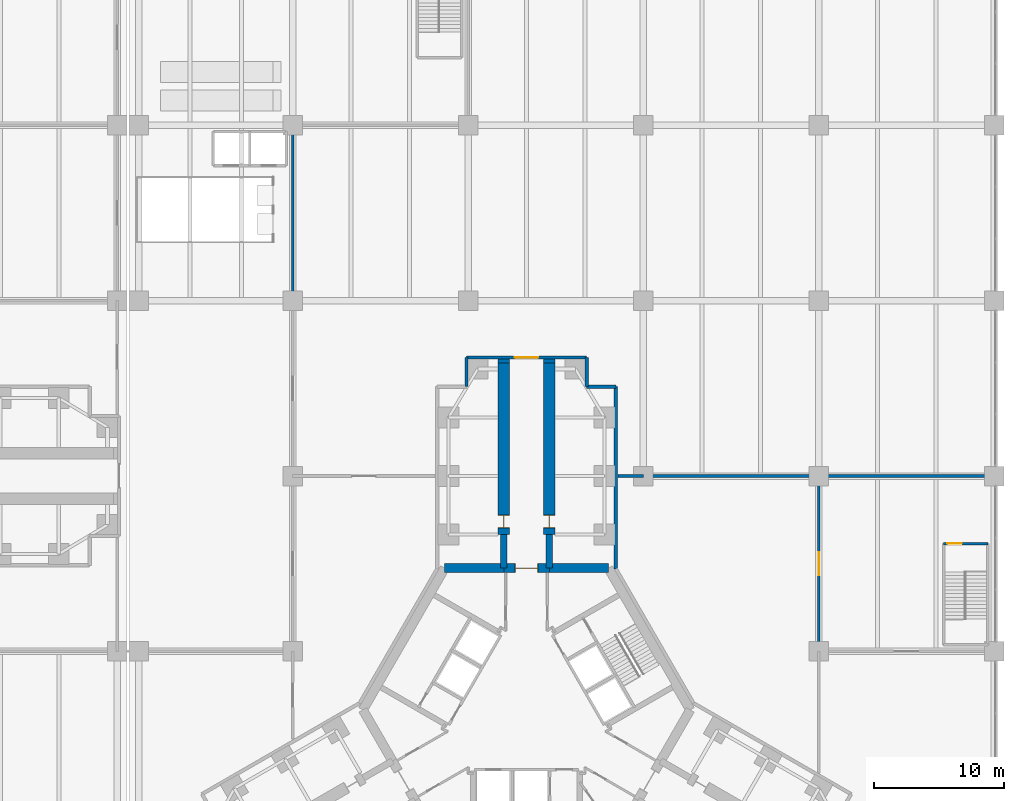
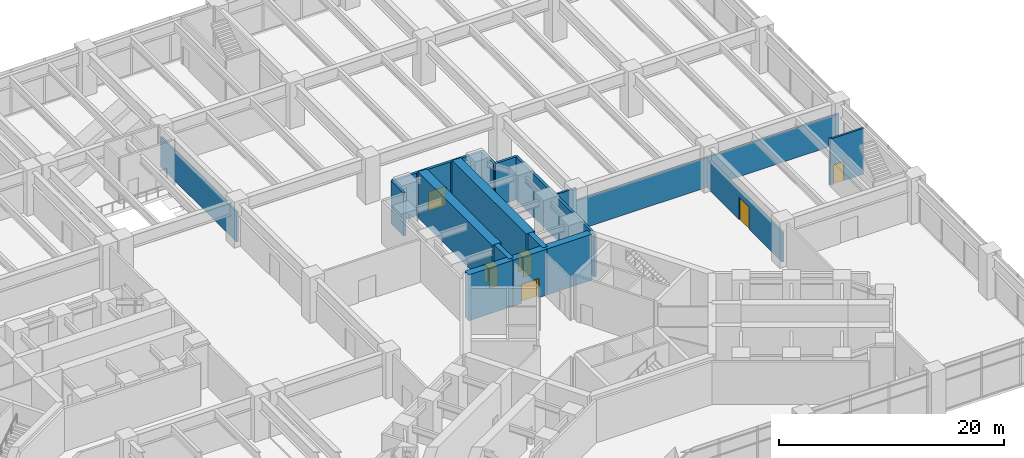
# One storey, part 27 of 32: 20 walls, 6 doors, 6 openings.
"""IFC4 building model written with IfcOpenShell, lengths in metres."""

import ifcopenshell
import ifcopenshell.guid

model = None  # the IFC model being written
_history = None  # IfcOwnerHistory: only IFC2X3 demands one
_inside = {}  # id of a spatial element -> (the spatial element, [elements in it])
_under = {}  # id of a project, library or spatial element -> (it, [spatial elements below it])
_declared = {}  # id of a project -> (the project, [libraries it declares])
_typed = {}  # id of a type object -> (the type object, [elements of that type])
_made_of = {}  # id of a material, layer set ... -> (it, [elements and type objects made of it])


def new_model(schema):
    """Start an empty IFC model of exactly this schema.

    Asked for "IFC4X3", IfcOpenShell would pick the latest addendum, in which some entities
    have other attributes; the version numbers below select the first issue.
    IFC2X3 requires an IfcOwnerHistory on every rooted entity: one is made here for all.
    """
    global model, _history
    if schema == "IFC4X3":
        model = ifcopenshell.file(schema_version=(4, 3, 0, 0))
    else:
        model = ifcopenshell.file(schema=schema)
    _inside.clear()
    _under.clear()
    _declared.clear()
    _typed.clear()
    _made_of.clear()
    _history = None
    if model.schema == "IFC2X3":
        org = make("IfcOrganization", Name="unknown")
        user = make(
            "IfcPersonAndOrganization",
            ThePerson=make("IfcPerson", FamilyName="unknown"),
            TheOrganization=org,
        )
        app = make(
            "IfcApplication",
            ApplicationDeveloper=org,
            Version="unknown",
            ApplicationFullName="unknown",
            ApplicationIdentifier="unknown",
        )
        _history = make(
            "IfcOwnerHistory",
            OwningUser=user,
            OwningApplication=app,
            ChangeAction="ADDED",
            CreationDate=0,
        )
    return model


def make(cls, **values):
    """One entity of the class cls with the attributes given. An attribute that is None is left unset."""
    return model.create_entity(
        cls, **{name: value for name, value in values.items() if value is not None}
    )


def rooted(cls, **values):
    """An entity with a GlobalId (a new one), such as an element, a storey or a relation."""
    return make(cls, GlobalId=ifcopenshell.guid.new(), OwnerHistory=_history, **values)


def si_unit(unit_type, name, prefix=None):
    """IfcSIUnit, for example si_unit("LENGTHUNIT", "METRE", prefix="MILLI")."""
    return make("IfcSIUnit", UnitType=unit_type, Prefix=prefix, Name=name)


def assignment(units):
    """IfcUnitAssignment: the units of a project."""
    return None if units is None else make("IfcUnitAssignment", Units=units)


def point(xyz):
    """IfcCartesianPoint."""
    return None if xyz is None else make("IfcCartesianPoint", Coordinates=xyz)


def direction(xyz):
    """IfcDirection."""
    return None if xyz is None else make("IfcDirection", DirectionRatios=xyz)


def frame(location, z_axis=None, x_axis=None):
    """IfcAxis2Placement3D, a coordinate frame: its origin and axes. An axis left out is left unset."""
    return make(
        "IfcAxis2Placement3D",
        Location=point(location),
        Axis=direction(z_axis),
        RefDirection=direction(x_axis),
    )


def frame_2d(location, x_axis=None):
    """IfcAxis2Placement2D, a coordinate frame in the plane: its origin and x axis."""
    return make(
        "IfcAxis2Placement2D", Location=point(location), RefDirection=direction(x_axis)
    )


def origin():
    """The frame at (0, 0, 0) with its axes left unset."""
    return frame((0.0, 0.0, 0.0))


def place(relative_to, where):
    """IfcLocalPlacement: puts the frame where relative to a parent placement (None: the world)."""
    return make(
        "IfcLocalPlacement", PlacementRelTo=relative_to, RelativePlacement=where
    )


def context(
    kind, dimensions, precision=None, world=None, true_north=None, identifier=None
):
    """IfcGeometricRepresentationContext, for example the 3D "Model" context."""
    return make(
        "IfcGeometricRepresentationContext",
        ContextIdentifier=identifier,
        ContextType=kind,
        CoordinateSpaceDimension=dimensions,
        Precision=precision,
        WorldCoordinateSystem=world,
        TrueNorth=true_north,
    )


def subcontext(parent, identifier, kind, view, scale=None):
    """IfcGeometricRepresentationSubContext, for example "Body" below "Model"."""
    return make(
        "IfcGeometricRepresentationSubContext",
        ContextIdentifier=identifier,
        ContextType=kind,
        ParentContext=parent,
        TargetScale=scale,
        TargetView=view,
    )


def project(units=None, contexts=None):
    """IfcProject with its units and contexts."""
    return rooted(
        "IfcProject",
        Name="project",
        RepresentationContexts=contexts,
        UnitsInContext=assignment(units),
    )


def spatial(cls, under=None, at=None, **own):
    """A site, building, storey or space (cls), placed at a placement, below another one or the project."""
    s = rooted(cls, ObjectPlacement=at, **own)
    if under is not None:
        _under.setdefault(under.id(), (under, []))[1].append(s)
    return s


def profile(cls, at=None, kind="AREA", **sizes):
    """A parametric profile (cls). Its sizes go by their IFC names, for example OverallWidth=200.0."""
    return make(cls, ProfileType=kind, Position=at, **sizes)


def rectangle(**sizes):
    """IfcRectangleProfileDef."""
    return profile("IfcRectangleProfileDef", **sizes)


def extrude(swept, where, along, depth):
    """IfcExtrudedAreaSolid: the profile swept, set in the frame where, extruded along a direction by depth."""
    return make(
        "IfcExtrudedAreaSolid",
        SweptArea=swept,
        Position=where,
        ExtrudedDirection=direction(along),
        Depth=depth,
    )


def shape(context_of_items, identifier, shape_type, items):
    """IfcShapeRepresentation: the items that make up one representation, for example the "Body"."""
    return make(
        "IfcShapeRepresentation",
        ContextOfItems=context_of_items,
        RepresentationIdentifier=identifier,
        RepresentationType=shape_type,
        Items=items,
    )


def material(Name=None, Category=None):
    """IfcMaterial."""
    return make("IfcMaterial", Name=Name, Category=Category)


def layer(
    of_material, thickness, ventilated=None, Name=None, Category=None, Priority=None
):
    """IfcMaterialLayer: one layer of a wall or slab, of a material (None: an air gap)."""
    return make(
        "IfcMaterialLayer",
        Material=of_material,
        LayerThickness=thickness,
        IsVentilated=ventilated,
        Name=Name,
        Category=Category,
        Priority=Priority,
    )


def layer_set(layers, Name=None):
    """IfcMaterialLayerSet."""
    return make("IfcMaterialLayerSet", MaterialLayers=layers, LayerSetName=Name)


def made_of(thing, what):
    """Note that an element or type object is made of a material, layer set ...; save() writes the relation."""
    if what is not None:
        _made_of.setdefault(what.id(), (what, []))[1].append(thing)
    return thing


def type_object(cls, material=None, **own):
    """A type object (cls), such as IfcWallType, which elements share."""
    return made_of(rooted(cls, **own), material)


def element(
    cls,
    number,
    at=None,
    inside=None,
    cuts=None,
    type_object=None,
    material=None,
    context=None,
    identifier="Body",
    shape_type=None,
    held_by="IfcProductDefinitionShape",
    body=None,
    shapes=None,
    **own,
):
    """One element of the class cls, such as IfcWall. Its Tag is "e" and its number.

    at: its placement. inside: the storey or other place that contains it. cuts: it is an
    opening in that element (IfcRelVoidsElement). A single representation is given by context,
    identifier, shape_type and body (its items); several are given by shapes. held_by: the class
    of the entity that holds the representations. save() writes the other relations.
    """
    e = rooted(cls, Tag="e%d" % number, ObjectPlacement=at, **own)
    if body is not None:
        shapes = [shape(context, identifier, shape_type, body)]
    if shapes is not None:
        e.Representation = make(held_by, Representations=shapes)
    if inside is not None:
        _inside.setdefault(inside.id(), (inside, []))[1].append(e)
    if cuts is not None:
        rooted(
            "IfcRelVoidsElement", RelatingBuildingElement=cuts, RelatedOpeningElement=e
        )
    if type_object is not None:
        _typed.setdefault(type_object.id(), (type_object, []))[1].append(e)
    return made_of(e, material)


def fill(opening, filler):
    """IfcRelFillsElement: the door or window that sits in an opening."""
    return rooted(
        "IfcRelFillsElement",
        RelatingOpeningElement=opening,
        RelatedBuildingElement=filler,
    )


def aggregate(whole, parts):
    """IfcRelAggregates: a whole, such as a stair, and the parts it consists of."""
    return rooted("IfcRelAggregates", RelatingObject=whole, RelatedObjects=parts)


def save(model, path):
    """Write the relations noted so far, then the file.

    IfcRelAggregates (storeys below a building ...), IfcRelContainedInSpatialStructure (elements
    in a storey), IfcRelDefinesByType, IfcRelAssociatesMaterial and IfcRelDeclares: one each for
    every whole, place, type object, material and project.
    """
    for whole, parts in _under.values():
        aggregate(whole, parts)
    for where, things in _inside.values():
        rooted(
            "IfcRelContainedInSpatialStructure",
            RelatedElements=things,
            RelatingStructure=where,
        )
    for kind, things in _typed.values():
        rooted("IfcRelDefinesByType", RelatedObjects=things, RelatingType=kind)
    for what, things in _made_of.values():
        rooted("IfcRelAssociatesMaterial", RelatedObjects=things, RelatingMaterial=what)
    for by, libraries in _declared.values():
        rooted("IfcRelDeclares", RelatingContext=by, RelatedDefinitions=libraries)
    model.write(path)


model = new_model("IFC4")

# Units and contexts
model_context = context("Model", 3, precision=1e-05, world=origin(), true_north=direction((0.0, 1.0)))
body_context = subcontext(model_context, "Body", "Model", "MODEL_VIEW")
ifc_project = project(units=[si_unit("LENGTHUNIT", "METRE"), si_unit("AREAUNIT", "SQUARE_METRE"), si_unit("VOLUMEUNIT", "CUBIC_METRE"), si_unit("PLANEANGLEUNIT", "RADIAN"), si_unit("MASSUNIT", "GRAM", prefix="KILO")], contexts=[model_context])

# Site, building, storey
site_placement = place(None, origin())
site = spatial("IfcSite", under=ifc_project, at=site_placement, CompositionType="ELEMENT")
building_placement = place(site_placement, origin())
building = spatial("IfcBuilding", under=site, at=building_placement, Name="Upepo Twin Towers", CompositionType="ELEMENT")
storey_placement = place(building_placement, frame((0.0, 0.0, 5.5)))
storey = spatial("IfcBuildingStorey", under=building, at=storey_placement, Name="L01", CompositionType="ELEMENT", Elevation=5.5)

# Walls
ifc_material_1 = material(Name="Dense concrete blockwork", Category="masonry")
ifc_layer_1 = layer(ifc_material_1, 0.89990234375)
ifc_layer_set_1 = layer_set([ifc_layer_1], Name="Buttress closer 900, blockwork with fire-stopping to the curtain wall")
wall_type_1 = type_object("IfcWallType", Name="Buttress closer 900, blockwork with fire-stopping to the curtain wall", PredefinedType="PARTITIONING", material=ifc_layer_set_1)
for number, where, z_axis, x_axis, name in (
    (1, (56.75, 8.699951171875, 0.0), (0.0, 0.0, 1.0), (0.0, 1.0, 0.0), "T2 L01 wing A buttress closer L"),
    (2, (60.25, 8.699951171875, 0.0), (0.0, 0.0, 1.0), (0.0, 1.0, 0.0), "T2 L01 wing A buttress closer R"),
):
    element("IfcWall", number, at=place(storey_placement, frame(where, z_axis=z_axis, x_axis=x_axis)), inside=storey, type_object=wall_type_1, Name=name, PredefinedType="PARTITIONING", context=body_context, shape_type="SweptSolid", body=[
        extrude(rectangle(XDim=0.300048828125, YDim=0.89990234375, at=frame_2d((0.14990234375, 0.0))), origin(), (0.0, 0.0, 1.0), 4.64990234375),
    ])
ifc_material_2 = material(Name="Concrete C60/75", Category="concrete")
ifc_layer_2 = layer(ifc_material_2, 0.5)
ifc_layer_set_2 = layer_set([ifc_layer_2], Name="Concrete C60/75")
wall_type_2 = type_object("IfcWallType", Name="Buttress wall 500 RC", PredefinedType="SHEAR", material=ifc_layer_set_2)
for number, where, z_axis, x_axis, name in (
    (3, (56.75, -7.091552734375, 0.0), (0.0, 0.0, 1.0), (0.0, 1.0, 0.0), "T2 wing A buttress wall L"),
    (4, (60.25, -7.091552734375, 0.0), (0.0, 0.0, 1.0), (0.0, 1.0, 0.0), "T2 wing A buttress wall R"),
):
    element("IfcWall", number, at=place(storey_placement, frame(where, z_axis=z_axis, x_axis=x_axis)), inside=storey, type_object=wall_type_2, Name=name, PredefinedType="SHEAR", context=body_context, shape_type="SweptSolid", body=[
        extrude(rectangle(XDim=2.591552734375, YDim=0.5, at=frame_2d((1.2958984375, 0.0))), origin(), (0.0, 0.0, 1.0), 5.0),
    ])

# Wall, opening, door
ifc_material_3 = material(Name="Concrete C60/75", Category="concrete")
ifc_layer_3 = layer(ifc_material_3, 0.89990234375)
ifc_layer_set_3 = layer_set([ifc_layer_3], Name="Concrete C60/75")
wall_type_3 = type_object("IfcWallType", Name="Buttress wall 900 RC", PredefinedType="SHEAR", material=ifc_layer_set_3)
wall_1_placement = place(storey_placement, frame((56.75, -4.5, 0.0), z_axis=(0.0, 0.0, 1.0), x_axis=(0.0, 1.0, 0.0)))
wall_1 = element("IfcWall", 5, at=wall_1_placement, inside=storey, type_object=wall_type_3, Name="T2 wing A buttress wall L part 2", PredefinedType="SHEAR", context=body_context, shape_type="SweptSolid", body=[
    extrude(rectangle(XDim=13.199951171875, YDim=0.89990234375, at=frame_2d((6.60009765625, 0.0))), origin(), (0.0, 0.0, 1.0), 5.0),
])
opening_1_placement = place(wall_1_placement, frame((0.5, 0.0, 0.0)))
opening_1 = element("IfcOpeningElement", 6, at=opening_1_placement, cuts=wall_1, Name="Opening D1", PredefinedType="OPENING", context=body_context, shape_type="SweptSolid", body=[
    extrude(rectangle(XDim=1.0, YDim=2.10009765625, at=frame_2d((0.5, 1.050048828125))), frame((0.0, 0.4599609375, 0.0), z_axis=(0.0, -1.0, 0.0), x_axis=(1.0, 0.0, 0.0)), (0.0, 0.0, 1.0), 0.919921875),
])
ifc_material_4 = material(Name="Timber doorset", Category="wood")
door_type_1 = type_object("IfcDoorType", Name="Room door 1000 FD30", OperationType="SINGLE_SWING_LEFT", PredefinedType="DOOR", material=ifc_material_4)
door_1_placement = place(opening_1_placement, origin())
door_1 = element("IfcDoor", 7, at=door_1_placement, inside=storey, type_object=door_type_1, Name="T2 L01 faculty office door", OperationType="SINGLE_SWING_LEFT", OverallHeight=2.10009765625, OverallWidth=1.0, PredefinedType="DOOR", context=body_context, shape_type="SweptSolid", body=[
    extrude(rectangle(XDim=0.92, YDim=2.06009765625, at=frame_2d((0.5, 1.030029296875))), frame((0.0, 0.02490234375, 0.0), z_axis=(0.0, -1.0, 0.0), x_axis=(1.0, 0.0, 0.0)), (0.0, 0.0, 1.0), 0.050048828125),
    extrude(rectangle(XDim=0.04, YDim=2.10009765625, at=frame_2d((0.02001953125, 1.050048828125))), frame((0.0, 0.44970703125, 0.0), z_axis=(0.0, -1.0, 0.0), x_axis=(1.0, 0.0, 0.0)), (0.0, 0.0, 1.0), 0.8994140625),
    extrude(rectangle(XDim=0.04, YDim=2.10009765625, at=frame_2d((0.97998046875, 1.050048828125))), frame((0.0, 0.44970703125, 0.0), z_axis=(0.0, -1.0, 0.0), x_axis=(1.0, 0.0, 0.0)), (0.0, 0.0, 1.0), 0.8994140625),
    extrude(rectangle(XDim=0.92, YDim=0.04, at=frame_2d((0.5, 2.080078125))), frame((0.0, 0.44970703125, 0.0), z_axis=(0.0, -1.0, 0.0), x_axis=(1.0, 0.0, 0.0)), (0.0, 0.0, 1.0), 0.8994140625),
])
fill(opening_1, door_1)

wall_2_placement = place(storey_placement, frame((60.25, -4.5, 0.0), z_axis=(0.0, 0.0, 1.0), x_axis=(0.0, 1.0, 0.0)))
wall_2 = element("IfcWall", 8, at=wall_2_placement, inside=storey, type_object=wall_type_3, Name="T2 wing A buttress wall R part 2", PredefinedType="SHEAR", context=body_context, shape_type="SweptSolid", body=[
    extrude(rectangle(XDim=13.199951171875, YDim=0.89990234375, at=frame_2d((6.60009765625, 0.0))), origin(), (0.0, 0.0, 1.0), 5.0),
])
opening_2_placement = place(wall_2_placement, frame((0.5, 0.0, 0.0)))
opening_2 = element("IfcOpeningElement", 9, at=opening_2_placement, cuts=wall_2, Name="Opening D1", PredefinedType="OPENING", context=body_context, shape_type="SweptSolid", body=[
    extrude(rectangle(XDim=1.0, YDim=2.10009765625, at=frame_2d((0.5, 1.050048828125))), frame((0.0, 0.4599609375, 0.0), z_axis=(0.0, -1.0, 0.0), x_axis=(1.0, 0.0, 0.0)), (0.0, 0.0, 1.0), 0.919921875),
])
door_2_placement = place(opening_2_placement, origin())
door_2 = element("IfcDoor", 10, at=door_2_placement, inside=storey, type_object=door_type_1, Name="T2 L01 faculty office door", OperationType="SINGLE_SWING_LEFT", OverallHeight=2.10009765625, OverallWidth=1.0, PredefinedType="DOOR", context=body_context, shape_type="SweptSolid", body=[
    extrude(rectangle(XDim=0.92, YDim=2.06009765625, at=frame_2d((0.5, 1.030029296875))), frame((0.0, 0.02490234375, 0.0), z_axis=(0.0, -1.0, 0.0), x_axis=(1.0, 0.0, 0.0)), (0.0, 0.0, 1.0), 0.050048828125),
    extrude(rectangle(XDim=0.04, YDim=2.10009765625, at=frame_2d((0.02001953125, 1.050048828125))), frame((0.0, 0.44970703125, 0.0), z_axis=(0.0, -1.0, 0.0), x_axis=(1.0, 0.0, 0.0)), (0.0, 0.0, 1.0), 0.8994140625),
    extrude(rectangle(XDim=0.04, YDim=2.10009765625, at=frame_2d((0.97998046875, 1.050048828125))), frame((0.0, 0.44970703125, 0.0), z_axis=(0.0, -1.0, 0.0), x_axis=(1.0, 0.0, 0.0)), (0.0, 0.0, 1.0), 0.8994140625),
    extrude(rectangle(XDim=0.92, YDim=0.04, at=frame_2d((0.5, 2.080078125))), frame((0.0, 0.44970703125, 0.0), z_axis=(0.0, -1.0, 0.0), x_axis=(1.0, 0.0, 0.0)), (0.0, 0.0, 1.0), 0.8994140625),
])
fill(opening_2, door_2)

# Wall
ifc_material_5 = material(Name="Concrete C60/75", Category="concrete")
ifc_layer_4 = layer(ifc_material_5, 0.699951171875)
ifc_layer_set_4 = layer_set([ifc_layer_4], Name="Concrete C60/75")
wall_type_4 = type_object("IfcWallType", Name="Core wall 700 RC", PredefinedType="SHEAR", material=ifc_layer_set_4)
wall_3_placement = place(storey_placement, frame((64.7978515625, -7.091552734375, 0.0), z_axis=(0.0, 0.0, 1.0), x_axis=(-1.0, 0.0, 0.0)))
element("IfcWall", 11, at=wall_3_placement, inside=storey, type_object=wall_type_4, Name="T2 core wall 000 R", PredefinedType="SHEAR", context=body_context, shape_type="SweptSolid", body=[
    extrude(rectangle(XDim=4.5478515625, YDim=0.699951171875, at=frame_2d((2.27392578125, 0.0))), origin(), (0.0, 0.0, 1.0), 5.0),
])

# Wall, opening, door
wall_4_placement = place(storey_placement, frame((60.25, -7.091552734375, 0.0), z_axis=(0.0, 0.0, 1.0), x_axis=(-1.0, 0.0, 0.0)))
wall_4 = element("IfcWall", 12, at=wall_4_placement, inside=storey, type_object=wall_type_4, Name="T2 core wall 000", PredefinedType="SHEAR", context=body_context, shape_type="SweptSolid", body=[
    extrude(rectangle(XDim=3.5, YDim=0.699951171875, at=frame_2d((1.75, 0.0))), origin(), (0.0, 0.0, 1.0), 5.0),
])
opening_3_placement = place(wall_4_placement, frame((0.85009765625, 0.0, 0.0)))
opening_3 = element("IfcOpeningElement", 13, at=opening_3_placement, cuts=wall_4, Name="Opening D2", PredefinedType="OPENING", context=body_context, shape_type="SweptSolid", body=[
    extrude(rectangle(XDim=1.800048828125, YDim=2.10009765625, at=frame_2d((0.89990234375, 1.050048828125))), frame((0.0, 0.35986328125, 0.0), z_axis=(0.0, -1.0, 0.0), x_axis=(1.0, 0.0, 0.0)), (0.0, 0.0, 1.0), 0.719970703125),
])
ifc_material_6 = material(Name="Timber doorset", Category="wood")
door_type_2 = type_object("IfcDoorType", Name="Corridor double door 1800 FD60", OperationType="DOUBLE_DOOR_DOUBLE_SWING", PredefinedType="DOOR", material=ifc_material_6)
door_3_placement = place(opening_3_placement, origin())
door_3 = element("IfcDoor", 14, at=door_3_placement, inside=storey, type_object=door_type_2, Name="T2 L01 wing A corridor door", OperationType="DOUBLE_DOOR_DOUBLE_SWING", OverallHeight=2.10009765625, OverallWidth=1.800048828125, PredefinedType="DOOR", context=body_context, shape_type="SweptSolid", body=[
    extrude(rectangle(XDim=1.720048828125, YDim=2.06009765625, at=frame_2d((0.89990234375, 1.030029296875))), frame((0.0, 0.02490234375, 0.0), z_axis=(0.0, -1.0, 0.0), x_axis=(1.0, 0.0, 0.0)), (0.0, 0.0, 1.0), 0.050048828125),
    extrude(rectangle(XDim=0.04, YDim=2.10009765625, at=frame_2d((0.02001953125, 1.050048828125))), frame((0.0, 0.349609375, 0.0), z_axis=(0.0, -1.0, 0.0), x_axis=(1.0, 0.0, 0.0)), (0.0, 0.0, 1.0), 0.699462890625),
    extrude(rectangle(XDim=0.04, YDim=2.10009765625, at=frame_2d((1.780029296875, 1.050048828125))), frame((0.0, 0.349609375, 0.0), z_axis=(0.0, -1.0, 0.0), x_axis=(1.0, 0.0, 0.0)), (0.0, 0.0, 1.0), 0.699462890625),
    extrude(rectangle(XDim=1.720048828125, YDim=0.04, at=frame_2d((0.89990234375, 2.080078125))), frame((0.0, 0.349609375, 0.0), z_axis=(0.0, -1.0, 0.0), x_axis=(1.0, 0.0, 0.0)), (0.0, 0.0, 1.0), 0.699462890625),
])
fill(opening_3, door_3)

# Walls
wall_5_placement = place(storey_placement, frame((56.75, -7.091552734375, 0.0), z_axis=(0.0, 0.0, 1.0), x_axis=(-1.0, 0.0, 0.0)))
element("IfcWall", 15, at=wall_5_placement, inside=storey, type_object=wall_type_4, Name="T2 core wall 000 L", PredefinedType="SHEAR", context=body_context, shape_type="SweptSolid", body=[
    extrude(rectangle(XDim=4.5478515625, YDim=0.699951171875, at=frame_2d((2.27392578125, 0.0))), origin(), (0.0, 0.0, 1.0), 5.0),
])
ifc_material_7 = material(Name="Concrete blockwork", Category="masonry")
ifc_layer_5 = layer(ifc_material_7, 0.199951171875)
ifc_layer_set_5 = layer_set([ifc_layer_5], Name="Podium partition 200 blockwork")
wall_type_5 = type_object("IfcWallType", Name="Podium partition 200 blockwork", PredefinedType="PARTITIONING", material=ifc_layer_set_5)
wall_6_placement = place(storey_placement, frame((40.5, 13.5, 0.0), z_axis=(0.0, 0.0, 1.0), x_axis=(0.0, 1.0, 0.0)))
element("IfcWall", 16, at=wall_6_placement, inside=storey, type_object=wall_type_5, Name="L01 podium wall X54", PredefinedType="PARTITIONING", context=body_context, shape_type="SweptSolid", body=[
    extrude(rectangle(XDim=13.5, YDim=0.199951171875, at=frame_2d((6.75, 0.0))), origin(), (0.0, 0.0, 1.0), 3.25),
])
wall_7_placement = place(storey_placement, frame((65.550048828125, 0.0, 0.0), z_axis=(0.0, 0.0, 1.0), x_axis=(1.0, 0.0, 0.0)))
element("IfcWall", 17, at=wall_7_placement, inside=storey, type_object=wall_type_5, Name="L01 podium wall Y63", PredefinedType="PARTITIONING", context=body_context, shape_type="SweptSolid", body=[
    extrude(rectangle(XDim=1.949951171875, YDim=0.199951171875, at=frame_2d((0.97509765625, 0.0))), origin(), (0.0, 0.0, 1.0), 4.64990234375),
])

# Wall, opening, door
wall_8_placement = place(storey_placement, frame((81.0, -13.5, 0.0), z_axis=(0.0, 0.0, 1.0), x_axis=(0.0, 1.0, 0.0)))
wall_8 = element("IfcWall", 18, at=wall_8_placement, inside=storey, type_object=wall_type_5, Name="L01 podium wall X82", PredefinedType="PARTITIONING", context=body_context, shape_type="SweptSolid", body=[
    extrude(rectangle(XDim=13.5, YDim=0.199951171875, at=frame_2d((6.75, 0.0))), origin(), (0.0, 0.0, 1.0), 3.25),
])
opening_4_placement = place(wall_8_placement, frame((5.85009765625, 0.0, 0.0)))
opening_4 = element("IfcOpeningElement", 19, at=opening_4_placement, cuts=wall_8, Name="Opening D10", PredefinedType="OPENING", context=body_context, shape_type="SweptSolid", body=[
    extrude(rectangle(XDim=1.800048828125, YDim=2.39990234375, at=frame_2d((0.89990234375, 1.199951171875))), frame((0.0, 0.10986328125, 0.0), z_axis=(0.0, -1.0, 0.0), x_axis=(1.0, 0.0, 0.0)), (0.0, 0.0, 1.0), 0.219970703125),
])
ifc_material_8 = material(Name="Timber doorset", Category="wood")
door_type_3 = type_object("IfcDoorType", Name="Podium double door 1800", OperationType="DOUBLE_DOOR_DOUBLE_SWING", PredefinedType="DOOR", material=ifc_material_8)
door_4_placement = place(opening_4_placement, origin())
door_4 = element("IfcDoor", 20, at=door_4_placement, inside=storey, type_object=door_type_3, Name="L01 library stacks 1.01 annex 2 door", OperationType="DOUBLE_DOOR_DOUBLE_SWING", OverallHeight=2.39990234375, OverallWidth=1.800048828125, PredefinedType="DOOR", context=body_context, shape_type="SweptSolid", body=[
    extrude(rectangle(XDim=1.800048828125, YDim=2.39990234375, at=frame_2d((0.89990234375, 1.199951171875))), frame((0.0, 0.02490234375, 0.0), z_axis=(0.0, -1.0, 0.0), x_axis=(1.0, 0.0, 0.0)), (0.0, 0.0, 1.0), 0.050048828125),
])
fill(opening_4, door_4)

# Walls
for number, where, z_axis, x_axis, name in (
    (21, (67.5, 0.0, 0.0), (0.0, 0.0, 1.0), (1.0, 0.0, 0.0), "L01 podium wall Y73"),
    (22, (81.0, 0.0, 0.0), (0.0, 0.0, 1.0), (1.0, 0.0, 0.0), "L01 podium wall Y83"),
):
    element("IfcWall", number, at=place(storey_placement, frame(where, z_axis=z_axis, x_axis=x_axis)), inside=storey, type_object=wall_type_5, Name=name, PredefinedType="PARTITIONING", context=body_context, shape_type="SweptSolid", body=[
        extrude(rectangle(XDim=13.5, YDim=0.199951171875, at=frame_2d((6.75, 0.0))), origin(), (0.0, 0.0, 1.0), 3.25),
    ])

# Wall, opening, door
ifc_material_9 = material(Name="Concrete C40/50", Category="concrete")
ifc_layer_6 = layer(ifc_material_9, 0.199951171875)
ifc_layer_set_6 = layer_set([ifc_layer_6], Name="Concrete C40/50")
wall_type_6 = type_object("IfcWallType", Name="Podium stair enclosure 200 RC", PredefinedType="SHEAR", material=ifc_layer_set_6)
wall_9_placement = place(storey_placement, frame((94.0, -5.199951171875, 0.0), z_axis=(0.0, 0.0, 1.0), x_axis=(-1.0, 0.0, 0.0)))
wall_9 = element("IfcWall", 23, at=wall_9_placement, inside=storey, type_object=wall_type_6, Name="PS2 L01 enclosure wall 3", PredefinedType="SHEAR", context=body_context, shape_type="SweptSolid", body=[
    extrude(rectangle(XDim=3.39990234375, YDim=0.199951171875, at=frame_2d((1.699951171875, 0.0))), origin(), (0.0, 0.0, 1.0), 5.0),
])
opening_5_placement = place(wall_9_placement, frame((2.0, 0.0, 0.0)))
opening_5 = element("IfcOpeningElement", 24, at=opening_5_placement, cuts=wall_9, Name="Opening D3", PredefinedType="OPENING", context=body_context, shape_type="SweptSolid", body=[
    extrude(rectangle(XDim=1.10009765625, YDim=2.10009765625, at=frame_2d((0.550048828125, 1.050048828125))), frame((0.0, 0.10986328125, 0.0), z_axis=(0.0, -1.0, 0.0), x_axis=(1.0, 0.0, 0.0)), (0.0, 0.0, 1.0), 0.219970703125),
])
ifc_material_10 = material(Name="Timber doorset", Category="wood")
door_type_4 = type_object("IfcDoorType", Name="Stair door 1100 FD60", OperationType="SINGLE_SWING_LEFT", PredefinedType="DOOR", material=ifc_material_10)
door_5_placement = place(opening_5_placement, origin())
door_5 = element("IfcDoor", 25, at=door_5_placement, inside=storey, type_object=door_type_4, Name="PS2 L01 door", OperationType="SINGLE_SWING_RIGHT", OverallHeight=2.10009765625, OverallWidth=1.10009765625, PredefinedType="DOOR", context=body_context, shape_type="SweptSolid", body=[
    extrude(rectangle(XDim=1.10009765625, YDim=2.10009765625, at=frame_2d((0.550048828125, 1.050048828125))), frame((0.0, 0.02490234375, 0.0), z_axis=(0.0, -1.0, 0.0), x_axis=(1.0, 0.0, 0.0)), (0.0, 0.0, 1.0), 0.050048828125),
])
fill(opening_5, door_5)

# Wall
ifc_material_11 = material(Name="Concrete blockwork", Category="masonry")
ifc_layer_7 = layer(ifc_material_11, 0.25)
ifc_layer_set_7 = layer_set([ifc_layer_7], Name="Tower enclosure wall 250 blockwork")
wall_type_7 = type_object("IfcWallType", Name="Tower enclosure wall 250 blockwork", PredefinedType="STANDARD", material=ifc_layer_set_7)
wall_10_placement = place(storey_placement, frame((53.875, 6.875, 0.0), z_axis=(0.0, 0.0, 1.0), x_axis=(0.0, 1.0, 0.0)))
element("IfcWall", 26, at=wall_10_placement, inside=storey, type_object=wall_type_7, Name="T2 L01 enclosure wall 17", PredefinedType="STANDARD", context=body_context, shape_type="SweptSolid", body=[
    extrude(rectangle(XDim=2.25, YDim=0.25, at=frame_2d((1.125, 0.0))), origin(), (0.0, 0.0, 1.0), 4.64990234375),
])

# Wall, opening, door
wall_11_placement = place(storey_placement, frame((53.875, 9.125, 0.0), z_axis=(0.0, 0.0, 1.0), x_axis=(1.0, 0.0, 0.0)))
wall_11 = element("IfcWall", 27, at=wall_11_placement, inside=storey, type_object=wall_type_7, Name="T2 L01 enclosure wall 18", PredefinedType="STANDARD", context=body_context, shape_type="SweptSolid", body=[
    extrude(rectangle(XDim=9.25, YDim=0.25, at=frame_2d((4.625, 0.0))), origin(), (0.0, 0.0, 1.0), 4.64990234375),
])
opening_6_placement = place(wall_11_placement, frame((3.72509765625, 0.0, 0.0)))
opening_6 = element("IfcOpeningElement", 28, at=opening_6_placement, cuts=wall_11, Name="Opening D2", PredefinedType="OPENING", context=body_context, shape_type="SweptSolid", body=[
    extrude(rectangle(XDim=1.800048828125, YDim=2.10009765625, at=frame_2d((0.89990234375, 1.050048828125))), frame((0.0, 0.135009765625, 0.0), z_axis=(0.0, -1.0, 0.0), x_axis=(1.0, 0.0, 0.0)), (0.0, 0.0, 1.0), 0.27001953125),
])
door_6_placement = place(opening_6_placement, origin())
door_6 = element("IfcDoor", 29, at=door_6_placement, inside=storey, type_object=door_type_2, Name="T2 L01 wing A podium door", OperationType="DOUBLE_DOOR_DOUBLE_SWING", OverallHeight=2.10009765625, OverallWidth=1.800048828125, PredefinedType="DOOR", context=body_context, shape_type="SweptSolid", body=[
    extrude(rectangle(XDim=1.800048828125, YDim=2.10009765625, at=frame_2d((0.89990234375, 1.050048828125))), frame((0.0, 0.02490234375, 0.0), z_axis=(0.0, -1.0, 0.0), x_axis=(1.0, 0.0, 0.0)), (0.0, 0.0, 1.0), 0.050048828125),
])
fill(opening_6, door_6)

# Walls
for number, where, z_axis, x_axis, name in (
    (30, (63.125, 9.125, 0.0), (0.0, 0.0, 1.0), (0.0, -1.0, 0.0), "T2 L01 enclosure wall 19"),
    (31, (63.125, 6.875, 0.0), (0.0, 0.0, 1.0), (1.0, 0.0, 0.0), "T2 L01 enclosure wall 20"),
):
    element("IfcWall", number, at=place(storey_placement, frame(where, z_axis=z_axis, x_axis=x_axis)), inside=storey, type_object=wall_type_7, Name=name, PredefinedType="STANDARD", context=body_context, shape_type="SweptSolid", body=[
        extrude(rectangle(XDim=2.25, YDim=0.25, at=frame_2d((1.125, 0.0))), origin(), (0.0, 0.0, 1.0), 4.64990234375),
    ])
wall_12_placement = place(storey_placement, frame((65.375, 6.875, 0.0), z_axis=(0.0, 0.0, 1.0), x_axis=(0.0, -1.0, 0.0)))
element("IfcWall", 32, at=wall_12_placement, inside=storey, type_object=wall_type_7, Name="T2 L01 enclosure wall 21", PredefinedType="STANDARD", context=body_context, shape_type="SweptSolid", body=[
    extrude(rectangle(XDim=14.01611328125, YDim=0.25, at=frame_2d((7.008056640625, 0.0))), origin(), (0.0, 0.0, 1.0), 4.64990234375),
])

save(model, "model.ifc")
